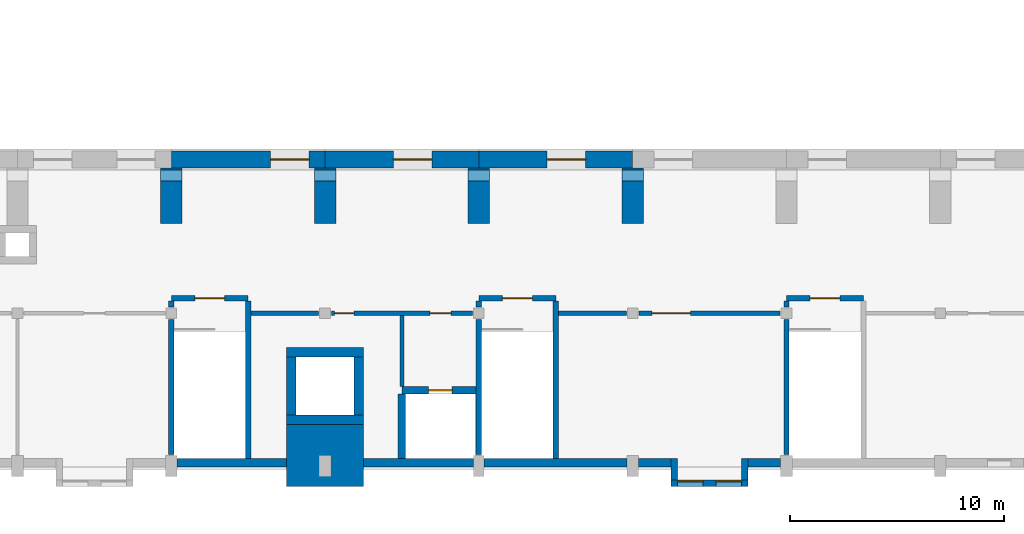
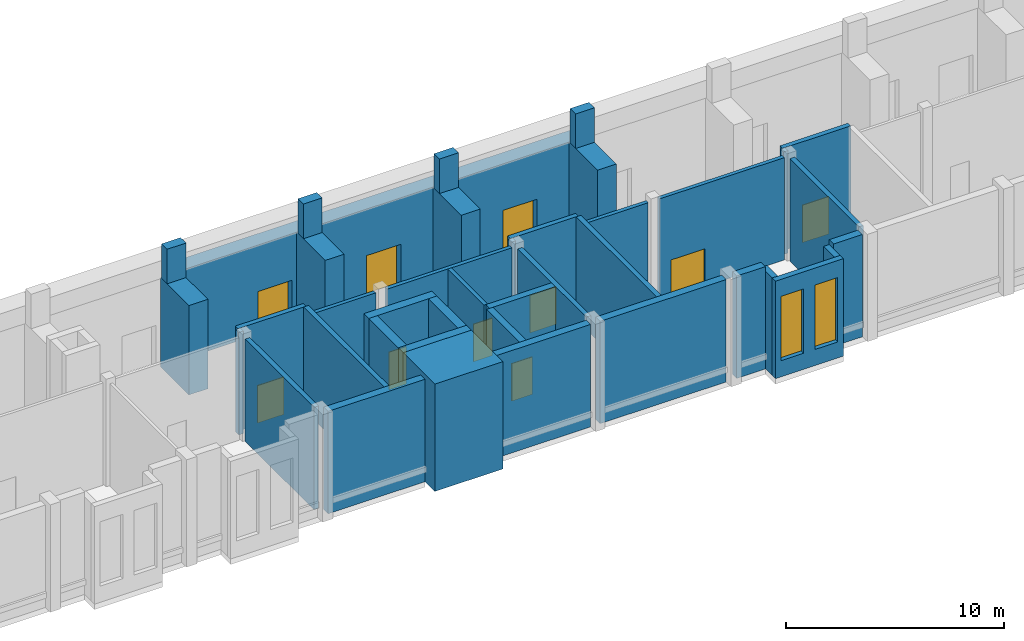
# One storey, part 29 of 44: 42 walls, 10 doors, 2 windows, 12 openings.
"""IFC4 building model written with IfcOpenShell, lengths in metres."""

import ifcopenshell
import ifcopenshell.guid

model = None  # the IFC model being written
_history = None  # IfcOwnerHistory: only IFC2X3 demands one
_inside = {}  # id of a spatial element -> (the spatial element, [elements in it])
_under = {}  # id of a project, library or spatial element -> (it, [spatial elements below it])
_declared = {}  # id of a project -> (the project, [libraries it declares])
_typed = {}  # id of a type object -> (the type object, [elements of that type])
_made_of = {}  # id of a material, layer set ... -> (it, [elements and type objects made of it])


def new_model(schema):
    """Start an empty IFC model of exactly this schema.

    Asked for "IFC4X3", IfcOpenShell would pick the latest addendum, in which some entities
    have other attributes; the version numbers below select the first issue.
    IFC2X3 requires an IfcOwnerHistory on every rooted entity: one is made here for all.
    """
    global model, _history
    if schema == "IFC4X3":
        model = ifcopenshell.file(schema_version=(4, 3, 0, 0))
    else:
        model = ifcopenshell.file(schema=schema)
    _inside.clear()
    _under.clear()
    _declared.clear()
    _typed.clear()
    _made_of.clear()
    _history = None
    if model.schema == "IFC2X3":
        org = make("IfcOrganization", Name="unknown")
        user = make(
            "IfcPersonAndOrganization",
            ThePerson=make("IfcPerson", FamilyName="unknown"),
            TheOrganization=org,
        )
        app = make(
            "IfcApplication",
            ApplicationDeveloper=org,
            Version="unknown",
            ApplicationFullName="unknown",
            ApplicationIdentifier="unknown",
        )
        _history = make(
            "IfcOwnerHistory",
            OwningUser=user,
            OwningApplication=app,
            ChangeAction="ADDED",
            CreationDate=0,
        )
    return model


def make(cls, **values):
    """One entity of the class cls with the attributes given. An attribute that is None is left unset."""
    return model.create_entity(
        cls, **{name: value for name, value in values.items() if value is not None}
    )


def rooted(cls, **values):
    """An entity with a GlobalId (a new one), such as an element, a storey or a relation."""
    return make(cls, GlobalId=ifcopenshell.guid.new(), OwnerHistory=_history, **values)


def si_unit(unit_type, name, prefix=None):
    """IfcSIUnit, for example si_unit("LENGTHUNIT", "METRE", prefix="MILLI")."""
    return make("IfcSIUnit", UnitType=unit_type, Prefix=prefix, Name=name)


def assignment(units):
    """IfcUnitAssignment: the units of a project."""
    return None if units is None else make("IfcUnitAssignment", Units=units)


def point(xyz):
    """IfcCartesianPoint."""
    return None if xyz is None else make("IfcCartesianPoint", Coordinates=xyz)


def direction(xyz):
    """IfcDirection."""
    return None if xyz is None else make("IfcDirection", DirectionRatios=xyz)


def frame(location, z_axis=None, x_axis=None):
    """IfcAxis2Placement3D, a coordinate frame: its origin and axes. An axis left out is left unset."""
    return make(
        "IfcAxis2Placement3D",
        Location=point(location),
        Axis=direction(z_axis),
        RefDirection=direction(x_axis),
    )


def frame_2d(location, x_axis=None):
    """IfcAxis2Placement2D, a coordinate frame in the plane: its origin and x axis."""
    return make(
        "IfcAxis2Placement2D", Location=point(location), RefDirection=direction(x_axis)
    )


def origin():
    """The frame at (0, 0, 0) with its axes left unset."""
    return frame((0.0, 0.0, 0.0))


def place(relative_to, where):
    """IfcLocalPlacement: puts the frame where relative to a parent placement (None: the world)."""
    return make(
        "IfcLocalPlacement", PlacementRelTo=relative_to, RelativePlacement=where
    )


def context(
    kind, dimensions, precision=None, world=None, true_north=None, identifier=None
):
    """IfcGeometricRepresentationContext, for example the 3D "Model" context."""
    return make(
        "IfcGeometricRepresentationContext",
        ContextIdentifier=identifier,
        ContextType=kind,
        CoordinateSpaceDimension=dimensions,
        Precision=precision,
        WorldCoordinateSystem=world,
        TrueNorth=true_north,
    )


def subcontext(parent, identifier, kind, view, scale=None):
    """IfcGeometricRepresentationSubContext, for example "Body" below "Model"."""
    return make(
        "IfcGeometricRepresentationSubContext",
        ContextIdentifier=identifier,
        ContextType=kind,
        ParentContext=parent,
        TargetScale=scale,
        TargetView=view,
    )


def project(units=None, contexts=None):
    """IfcProject with its units and contexts."""
    return rooted(
        "IfcProject",
        Name="project",
        RepresentationContexts=contexts,
        UnitsInContext=assignment(units),
    )


def spatial(cls, under=None, at=None, **own):
    """A site, building, storey or space (cls), placed at a placement, below another one or the project."""
    s = rooted(cls, ObjectPlacement=at, **own)
    if under is not None:
        _under.setdefault(under.id(), (under, []))[1].append(s)
    return s


def profile(cls, at=None, kind="AREA", **sizes):
    """A parametric profile (cls). Its sizes go by their IFC names, for example OverallWidth=200.0."""
    return make(cls, ProfileType=kind, Position=at, **sizes)


def rectangle(**sizes):
    """IfcRectangleProfileDef."""
    return profile("IfcRectangleProfileDef", **sizes)


def extrude(swept, where, along, depth):
    """IfcExtrudedAreaSolid: the profile swept, set in the frame where, extruded along a direction by depth."""
    return make(
        "IfcExtrudedAreaSolid",
        SweptArea=swept,
        Position=where,
        ExtrudedDirection=direction(along),
        Depth=depth,
    )


def shape(context_of_items, identifier, shape_type, items):
    """IfcShapeRepresentation: the items that make up one representation, for example the "Body"."""
    return make(
        "IfcShapeRepresentation",
        ContextOfItems=context_of_items,
        RepresentationIdentifier=identifier,
        RepresentationType=shape_type,
        Items=items,
    )


def material(Name=None, Category=None):
    """IfcMaterial."""
    return make("IfcMaterial", Name=Name, Category=Category)


def layer(
    of_material, thickness, ventilated=None, Name=None, Category=None, Priority=None
):
    """IfcMaterialLayer: one layer of a wall or slab, of a material (None: an air gap)."""
    return make(
        "IfcMaterialLayer",
        Material=of_material,
        LayerThickness=thickness,
        IsVentilated=ventilated,
        Name=Name,
        Category=Category,
        Priority=Priority,
    )


def layer_set(layers, Name=None):
    """IfcMaterialLayerSet."""
    return make("IfcMaterialLayerSet", MaterialLayers=layers, LayerSetName=Name)


def made_of(thing, what):
    """Note that an element or type object is made of a material, layer set ...; save() writes the relation."""
    if what is not None:
        _made_of.setdefault(what.id(), (what, []))[1].append(thing)
    return thing


def type_object(cls, material=None, **own):
    """A type object (cls), such as IfcWallType, which elements share."""
    return made_of(rooted(cls, **own), material)


def element(
    cls,
    number,
    at=None,
    inside=None,
    cuts=None,
    type_object=None,
    material=None,
    context=None,
    identifier="Body",
    shape_type=None,
    held_by="IfcProductDefinitionShape",
    body=None,
    shapes=None,
    **own,
):
    """One element of the class cls, such as IfcWall. Its Tag is "e" and its number.

    at: its placement. inside: the storey or other place that contains it. cuts: it is an
    opening in that element (IfcRelVoidsElement). A single representation is given by context,
    identifier, shape_type and body (its items); several are given by shapes. held_by: the class
    of the entity that holds the representations. save() writes the other relations.
    """
    e = rooted(cls, Tag="e%d" % number, ObjectPlacement=at, **own)
    if body is not None:
        shapes = [shape(context, identifier, shape_type, body)]
    if shapes is not None:
        e.Representation = make(held_by, Representations=shapes)
    if inside is not None:
        _inside.setdefault(inside.id(), (inside, []))[1].append(e)
    if cuts is not None:
        rooted(
            "IfcRelVoidsElement", RelatingBuildingElement=cuts, RelatedOpeningElement=e
        )
    if type_object is not None:
        _typed.setdefault(type_object.id(), (type_object, []))[1].append(e)
    return made_of(e, material)


def fill(opening, filler):
    """IfcRelFillsElement: the door or window that sits in an opening."""
    return rooted(
        "IfcRelFillsElement",
        RelatingOpeningElement=opening,
        RelatedBuildingElement=filler,
    )


def aggregate(whole, parts):
    """IfcRelAggregates: a whole, such as a stair, and the parts it consists of."""
    return rooted("IfcRelAggregates", RelatingObject=whole, RelatedObjects=parts)


def save(model, path):
    """Write the relations noted so far, then the file.

    IfcRelAggregates (storeys below a building ...), IfcRelContainedInSpatialStructure (elements
    in a storey), IfcRelDefinesByType, IfcRelAssociatesMaterial and IfcRelDeclares: one each for
    every whole, place, type object, material and project.
    """
    for whole, parts in _under.values():
        aggregate(whole, parts)
    for where, things in _inside.values():
        rooted(
            "IfcRelContainedInSpatialStructure",
            RelatedElements=things,
            RelatingStructure=where,
        )
    for kind, things in _typed.values():
        rooted("IfcRelDefinesByType", RelatedObjects=things, RelatingType=kind)
    for what, things in _made_of.values():
        rooted("IfcRelAssociatesMaterial", RelatedObjects=things, RelatingMaterial=what)
    for by, libraries in _declared.values():
        rooted("IfcRelDeclares", RelatingContext=by, RelatedDefinitions=libraries)
    model.write(path)


model = new_model("IFC4")

# Units and contexts
model_context = context("Model", 3, precision=1e-05, world=origin(), true_north=direction((0.0, 1.0)))
body_context = subcontext(model_context, "Body", "Model", "MODEL_VIEW")
ifc_project = project(units=[si_unit("LENGTHUNIT", "METRE"), si_unit("AREAUNIT", "SQUARE_METRE"), si_unit("VOLUMEUNIT", "CUBIC_METRE"), si_unit("PLANEANGLEUNIT", "RADIAN"), si_unit("MASSUNIT", "GRAM", prefix="KILO")], contexts=[model_context])

# Site, building, storey
site_placement = place(None, origin())
site = spatial("IfcSite", under=ifc_project, at=site_placement, CompositionType="ELEMENT")
building_placement = place(site_placement, origin())
building = spatial("IfcBuilding", under=site, at=building_placement, Name="Vermilion Court Aquatics Centre", CompositionType="ELEMENT")
storey_placement = place(building_placement, frame((0.0, 0.0, 6.0)))
storey = spatial("IfcBuildingStorey", under=building, at=storey_placement, Name="L01", CompositionType="ELEMENT", Elevation=6.0)

# Walls
ifc_material_1 = material(Name="Concrete 5000 psi", Category="concrete")
ifc_layer_1 = layer(ifc_material_1, 1.0)
ifc_layer_set_1 = layer_set([ifc_layer_1], Name="Roof buttress pier")
wall_type_1 = type_object("IfcWallType", Name="Roof buttress pier", PredefinedType="SOLIDWALL", material=ifc_layer_set_1)
for number, where, z_axis, x_axis, name in (
    (1, (64.800048828125, 11.39990234375, 0.0), (0.0, 0.0, 1.0), (0.0, 1.0, 0.0), "Buttress pier BPS08"),
    (2, (72.0, 11.39990234375, 0.0), (0.0, 0.0, 1.0), (0.0, 1.0, 0.0), "Buttress pier BPS09"),
    (3, (79.199951171875, 11.39990234375, 0.0), (0.0, 0.0, 1.0), (0.0, 1.0, 0.0), "Buttress pier BPS10"),
    (4, (86.39990234375, 11.39990234375, 0.0), (0.0, 0.0, 1.0), (0.0, 1.0, 0.0), "Buttress pier BPS11"),
):
    element("IfcWall", number, at=place(storey_placement, frame(where, z_axis=z_axis, x_axis=x_axis)), inside=storey, type_object=wall_type_1, Name=name, PredefinedType="SOLIDWALL", context=body_context, shape_type="SweptSolid", body=[
        extrude(rectangle(XDim=2.60009765625, YDim=1.0, at=frame_2d((1.300048828125, 0.0))), origin(), (0.0, 0.0, 1.0), 5.0),
    ])

# Wall, openings, windows
ifc_material_2 = material(Name="Brick masonry", Category="masonry")
ifc_layer_2 = layer(ifc_material_2, 0.300048828125)
ifc_layer_set_2 = layer_set([ifc_layer_2], Name="South bay wall 300")
wall_type_2 = type_object("IfcWallType", Name="South bay wall 300", PredefinedType="SOLIDWALL", material=ifc_layer_set_2)
wall_1_placement = place(storey_placement, frame((88.199951171875, -0.75, 0.0), z_axis=(0.0, 0.0, 1.0), x_axis=(1.0, 0.0, 0.0)))
wall_1 = element("IfcWall", 5, at=wall_1_placement, inside=storey, type_object=wall_type_2, Name="South oriel front wall", PredefinedType="SOLIDWALL", context=body_context, shape_type="SweptSolid", body=[
    extrude(rectangle(XDim=3.60009765625, YDim=0.300048828125, at=frame_2d((1.800048828125, 0.0))), origin(), (0.0, 0.0, 1.0), 5.449951171875),
])
opening_1_placement = place(wall_1_placement, frame((0.300048828125, 0.0, 0.89990234375)))
opening_1 = element("IfcOpeningElement", 6, at=opening_1_placement, cuts=wall_1, Name="Opening SWN6", PredefinedType="OPENING", context=body_context, shape_type="SweptSolid", body=[
    extrude(rectangle(XDim=1.199951171875, YDim=3.60009765625, at=frame_2d((0.60009765625, 1.800048828125))), frame((0.0, 0.159912109375, 0.0), z_axis=(0.0, -1.0, 0.0), x_axis=(1.0, 0.0, 0.0)), (0.0, 0.0, 1.0), 0.320068359375),
])
opening_2_placement = place(wall_1_placement, frame((2.10009765625, 0.0, 0.89990234375)))
opening_2 = element("IfcOpeningElement", 7, at=opening_2_placement, cuts=wall_1, Name="Opening SWN6", PredefinedType="OPENING", context=body_context, shape_type="SweptSolid", body=[
    extrude(rectangle(XDim=1.199951171875, YDim=3.60009765625, at=frame_2d((0.60009765625, 1.800048828125))), frame((0.0, 0.159912109375, 0.0), z_axis=(0.0, -1.0, 0.0), x_axis=(1.0, 0.0, 0.0)), (0.0, 0.0, 1.0), 0.320068359375),
])
ifc_material_3 = material(Name="Aluminium 6063-T5", Category="aluminium")
window_type = type_object("IfcWindowType", Name="South tall window 1200x3600", PartitioningType="DOUBLE_PANEL_VERTICAL", PredefinedType="WINDOW", material=ifc_material_3)
window_1_placement = place(opening_1_placement, origin())
window_1 = element("IfcWindow", 8, at=window_1_placement, inside=storey, type_object=window_type, Name="Oriel tall window", OverallHeight=3.60009765625, OverallWidth=1.199951171875, PartitioningType="DOUBLE_PANEL_VERTICAL", PredefinedType="WINDOW", context=body_context, shape_type="SweptSolid", body=[
    extrude(rectangle(XDim=1.199951171875, YDim=3.60009765625, at=frame_2d((0.60009765625, 1.800048828125))), frame((0.0, 0.130126953125, 0.0), z_axis=(0.0, -1.0, 0.0), x_axis=(1.0, 0.0, 0.0)), (0.0, 0.0, 1.0), 0.06005859375),
])
fill(opening_1, window_1)
window_2_placement = place(opening_2_placement, origin())
window_2 = element("IfcWindow", 9, at=window_2_placement, inside=storey, type_object=window_type, Name="Oriel tall window", OverallHeight=3.60009765625, OverallWidth=1.199951171875, PartitioningType="DOUBLE_PANEL_VERTICAL", PredefinedType="WINDOW", context=body_context, shape_type="SweptSolid", body=[
    extrude(rectangle(XDim=1.199951171875, YDim=3.60009765625, at=frame_2d((0.60009765625, 1.800048828125))), frame((0.0, 0.130126953125, 0.0), z_axis=(0.0, -1.0, 0.0), x_axis=(1.0, 0.0, 0.0)), (0.0, 0.0, 1.0), 0.06005859375),
])
fill(opening_2, window_2)

# Walls
for number, where, z_axis, x_axis, name in (
    (10, (88.35009765625, -0.60009765625, 0.0), (0.0, 0.0, 1.0), (0.0, 1.0, 0.0), "South oriel jamb pier"),
    (11, (91.64990234375, -0.60009765625, 0.0), (0.0, 0.0, 1.0), (0.0, 1.0, 0.0), "South oriel jamb pier"),
):
    element("IfcWall", number, at=place(storey_placement, frame(where, z_axis=z_axis, x_axis=x_axis)), inside=storey, type_object=wall_type_2, Name=name, PredefinedType="SOLIDWALL", context=body_context, shape_type="SweptSolid", body=[
        extrude(rectangle(XDim=1.0, YDim=0.300048828125, at=frame_2d((0.5, 0.0))), origin(), (0.0, 0.0, 1.0), 5.449951171875),
    ])
ifc_material_4 = material(Name="Brick masonry", Category="masonry")
ifc_layer_3 = layer(ifc_material_4, 0.39990234375)
ifc_layer_set_3 = layer_set([ifc_layer_3], Name="South brick facade wall 400")
wall_type_3 = type_object("IfcWallType", Name="South brick facade wall 400", PredefinedType="SOLIDWALL", material=ifc_layer_set_3)
wall_2_placement = place(storey_placement, frame((65.074951171875, 0.199951171875, 0.0), z_axis=(0.0, 0.0, 1.0), x_axis=(1.0, 0.0, 0.0)))
element("IfcWall", 12, at=wall_2_placement, inside=storey, type_object=wall_type_3, Name="Brick facade wall", PredefinedType="SOLIDWALL", context=body_context, shape_type="SweptSolid", body=[
    extrude(rectangle(XDim=5.125, YDim=0.39990234375, at=frame_2d((2.5625, 0.0))), origin(), (0.0, 0.0, 1.0), 5.72509765625),
])
wall_3_placement = place(storey_placement, frame((73.800048828125, 0.199951171875, 0.0), z_axis=(0.0, 0.0, 1.0), x_axis=(1.0, 0.0, 0.0)))
element("IfcWall", 13, at=wall_3_placement, inside=storey, type_object=wall_type_3, Name="Brick facade wall", PredefinedType="SOLIDWALL", context=body_context, shape_type="SweptSolid", body=[
    extrude(rectangle(XDim=5.14990234375, YDim=0.39990234375, at=frame_2d((2.574951171875, 0.0))), origin(), (0.0, 0.0, 1.0), 5.72509765625),
])
wall_4_placement = place(storey_placement, frame((79.449951171875, 0.199951171875, 0.0), z_axis=(0.0, 0.0, 1.0), x_axis=(1.0, 0.0, 0.0)))
element("IfcWall", 14, at=wall_4_placement, inside=storey, type_object=wall_type_3, Name="Brick facade wall", PredefinedType="SOLIDWALL", context=body_context, shape_type="SweptSolid", body=[
    extrude(rectangle(XDim=6.675048828125, YDim=0.39990234375, at=frame_2d((3.33740234375, 0.0))), origin(), (0.0, 0.0, 1.0), 5.72509765625),
])
for number, where, z_axis, x_axis, name in (
    (15, (86.675048828125, 0.199951171875, 0.0), (0.0, 0.0, 1.0), (1.0, 0.0, 0.0), "Brick facade wall"),
    (16, (91.800048828125, 0.199951171875, 0.0), (0.0, 0.0, 1.0), (1.0, 0.0, 0.0), "Brick facade wall"),
):
    element("IfcWall", number, at=place(storey_placement, frame(where, z_axis=z_axis, x_axis=x_axis)), inside=storey, type_object=wall_type_3, Name=name, PredefinedType="SOLIDWALL", context=body_context, shape_type="SweptSolid", body=[
        extrude(rectangle(XDim=1.52490234375, YDim=0.39990234375, at=frame_2d((0.762451171875, 0.0))), origin(), (0.0, 0.0, 1.0), 5.72509765625),
    ])
ifc_material_5 = material(Name="Brick masonry", Category="masonry")
ifc_layer_4 = layer(ifc_material_5, 2.89990234375)
ifc_layer_set_4 = layer_set([ifc_layer_4], Name="South chimney breast wall 2900")
wall_type_4 = type_object("IfcWallType", Name="South chimney breast wall 2900", PredefinedType="SOLIDWALL", material=ifc_layer_set_4)
wall_5_placement = place(storey_placement, frame((70.199951171875, 0.550048828125, 0.0), z_axis=(0.0, 0.0, 1.0), x_axis=(1.0, 0.0, 0.0)))
element("IfcWall", 17, at=wall_5_placement, inside=storey, type_object=wall_type_4, Name="Chimney breast", PredefinedType="SOLIDWALL", context=body_context, shape_type="SweptSolid", body=[
    extrude(rectangle(XDim=3.60009765625, YDim=2.89990234375, at=frame_2d((1.800048828125, 0.0))), origin(), (0.0, 0.0, 1.0), 6.0),
])
ifc_material_6 = material(Name="Concrete masonry ASTM C90 Type I", Category="masonry")
ifc_layer_5 = layer(ifc_material_6, 0.199951171875)
ifc_layer_set_5 = layer_set([ifc_layer_5], Name="South fire-rated partition 200")
wall_type_5 = type_object("IfcWallType", Name="South fire-rated partition 200", PredefinedType="PARTITIONING", material=ifc_layer_set_5)
wall_6_placement = place(storey_placement, frame((75.60009765625, 3.77490234375, 0.0), z_axis=(0.0, 0.0, 1.0), x_axis=(0.0, 1.0, 0.0)))
element("IfcWall", 18, at=wall_6_placement, inside=storey, type_object=wall_type_5, Name="Wall", PredefinedType="PARTITIONING", context=body_context, shape_type="SweptSolid", body=[
    extrude(rectangle(XDim=3.3251953125, YDim=0.199951171875, at=frame_2d((1.66259765625, 0.0))), origin(), (0.0, 0.0, 1.0), 5.72509765625),
])
wall_7_placement = place(storey_placement, frame((68.52490234375, 7.199951171875, 0.0), z_axis=(0.0, 0.0, 1.0), x_axis=(1.0, 0.0, 0.0)))
element("IfcWall", 19, at=wall_7_placement, inside=storey, type_object=wall_type_5, Name="Wall", PredefinedType="PARTITIONING", context=body_context, shape_type="SweptSolid", body=[
    extrude(rectangle(XDim=3.175048828125, YDim=0.199951171875, at=frame_2d((1.58740234375, 0.0))), origin(), (0.0, 0.0, 1.0), 5.72509765625),
])

# Wall, openings, doors
wall_8_placement = place(storey_placement, frame((72.300048828125, 7.199951171875, 0.0), z_axis=(0.0, 0.0, 1.0), x_axis=(1.0, 0.0, 0.0)))
wall_8 = element("IfcWall", 20, at=wall_8_placement, inside=storey, type_object=wall_type_5, Name="Wall", PredefinedType="PARTITIONING", context=body_context, shape_type="SweptSolid", body=[
    extrude(rectangle(XDim=6.599853515625, YDim=0.199951171875, at=frame_2d((3.2998046875, 0.0))), origin(), (0.0, 0.0, 1.0), 5.72509765625),
])
opening_3_placement = place(wall_8_placement, frame((0.14990234375, 0.0, 0.0)))
opening_3 = element("IfcOpeningElement", 21, at=opening_3_placement, cuts=wall_8, Name="Opening S01-012", PredefinedType="OPENING", context=body_context, shape_type="SweptSolid", body=[
    extrude(rectangle(XDim=0.89990234375, YDim=2.10009765625, at=frame_2d((0.449951171875, 1.050048828125))), frame((0.0, 0.10986328125, 0.0), z_axis=(0.0, -1.0, 0.0), x_axis=(1.0, 0.0, 0.0)), (0.0, 0.0, 1.0), 0.219970703125),
])
opening_4_placement = place(wall_8_placement, frame((4.60009765625, 0.0, 0.0)))
opening_4 = element("IfcOpeningElement", 22, at=opening_4_placement, cuts=wall_8, Name="Opening S01-017", PredefinedType="OPENING", context=body_context, shape_type="SweptSolid", body=[
    extrude(rectangle(XDim=1.0, YDim=2.10009765625, at=frame_2d((0.5, 1.050048828125))), frame((0.0, 0.10986328125, 0.0), z_axis=(0.0, -1.0, 0.0), x_axis=(1.0, 0.0, 0.0)), (0.0, 0.0, 1.0), 0.219970703125),
])
ifc_material_7 = material(Name="Hollow metal", Category="metal")
door_type_1 = type_object("IfcDoorType", Name="South lobby door 1000", OperationType="SINGLE_SWING_RIGHT", PredefinedType="DOOR", material=ifc_material_7)
door_1_placement = place(opening_4_placement, origin())
door_1 = element("IfcDoor", 23, at=door_1_placement, inside=storey, type_object=door_type_1, Name="Spectator lift lobby door", OperationType="SINGLE_SWING_RIGHT", OverallHeight=2.10009765625, OverallWidth=1.0, PredefinedType="DOOR", context=body_context, shape_type="SweptSolid", body=[
    extrude(rectangle(XDim=1.0, YDim=2.10009765625, at=frame_2d((0.5, 1.050048828125))), frame((0.0, 0.02490234375, 0.0), z_axis=(0.0, -1.0, 0.0), x_axis=(1.0, 0.0, 0.0)), (0.0, 0.0, 1.0), 0.050048828125),
])
fill(opening_4, door_1)
ifc_material_8 = material(Name="Hollow metal", Category="metal")
door_type_2 = type_object("IfcDoorType", Name="South plant door 900", OperationType="SINGLE_SWING_RIGHT", PredefinedType="DOOR", material=ifc_material_8)
door_2_placement = place(opening_3_placement, frame((0.89990234375, 0.0, 0.0), z_axis=(0.0, 0.0, 1.0), x_axis=(-1.0, 0.0, 0.0)))
door_2 = element("IfcDoor", 24, at=door_2_placement, inside=storey, type_object=door_type_2, Name="Plant Room door", OperationType="SINGLE_SWING_RIGHT", OverallHeight=2.10009765625, OverallWidth=0.89990234375, PredefinedType="DOOR", context=body_context, shape_type="SweptSolid", body=[
    extrude(rectangle(XDim=0.89990234375, YDim=2.10009765625, at=frame_2d((0.449951171875, 1.050048828125))), frame((0.0, 0.025146484375, 0.0), z_axis=(0.0, -1.0, 0.0), x_axis=(1.0, 0.0, 0.0)), (0.0, 0.0, 1.0), 0.050048828125),
])
fill(opening_3, door_2)

# Wall
ifc_material_9 = material(Name="Concrete masonry ASTM C90 Type I", Category="masonry")
ifc_layer_6 = layer(ifc_material_9, 0.199951171875)
ifc_layer_set_6 = layer_set([ifc_layer_6], Name="South partition wall 200")
wall_type_6 = type_object("IfcWallType", Name="South partition wall 200", PredefinedType="PARTITIONING", material=ifc_layer_set_6)
wall_9_placement = place(storey_placement, frame((82.925048828125, 7.199951171875, 0.0), z_axis=(0.0, 0.0, 1.0), x_axis=(1.0, 0.0, 0.0)))
element("IfcWall", 25, at=wall_9_placement, inside=storey, type_object=wall_type_6, Name="Partition wall", PredefinedType="PARTITIONING", context=body_context, shape_type="SweptSolid", body=[
    extrude(rectangle(XDim=3.175048828125, YDim=0.199951171875, at=frame_2d((1.58740234375, 0.0))), origin(), (0.0, 0.0, 1.0), 5.72509765625),
])

# Wall, opening, door
wall_10_placement = place(storey_placement, frame((86.699951171875, 7.199951171875, 0.0), z_axis=(0.0, 0.0, 1.0), x_axis=(1.0, 0.0, 0.0)))
wall_10 = element("IfcWall", 26, at=wall_10_placement, inside=storey, type_object=wall_type_6, Name="Partition wall", PredefinedType="PARTITIONING", context=body_context, shape_type="SweptSolid", body=[
    extrude(rectangle(XDim=6.60009765625, YDim=0.199951171875, at=frame_2d((3.300048828125, 0.0))), origin(), (0.0, 0.0, 1.0), 5.72509765625),
])
opening_5_placement = place(wall_10_placement, frame((0.60009765625, 0.0, 0.0)))
opening_5 = element("IfcOpeningElement", 27, at=opening_5_placement, cuts=wall_10, Name="Opening S01-013", PredefinedType="OPENING", context=body_context, shape_type="SweptSolid", body=[
    extrude(rectangle(XDim=1.800048828125, YDim=2.10009765625, at=frame_2d((0.89990234375, 1.050048828125))), frame((0.0, 0.10986328125, 0.0), z_axis=(0.0, -1.0, 0.0), x_axis=(1.0, 0.0, 0.0)), (0.0, 0.0, 1.0), 0.219970703125),
])
ifc_material_10 = material(Name="Hollow metal", Category="metal")
door_type_3 = type_object("IfcDoorType", Name="South range double door 1800", OperationType="DOUBLE_DOOR_SINGLE_SWING", PredefinedType="DOOR", material=ifc_material_10)
door_3_placement = place(opening_5_placement, origin())
door_3 = element("IfcDoor", 28, at=door_3_placement, inside=storey, type_object=door_type_3, Name="Cafe Seating door", OperationType="DOUBLE_DOOR_SINGLE_SWING", OverallHeight=2.10009765625, OverallWidth=1.800048828125, PredefinedType="DOOR", context=body_context, shape_type="SweptSolid", body=[
    extrude(rectangle(XDim=1.800048828125, YDim=2.10009765625, at=frame_2d((0.89990234375, 1.050048828125))), frame((0.0, 0.02490234375, 0.0), z_axis=(0.0, -1.0, 0.0), x_axis=(1.0, 0.0, 0.0)), (0.0, 0.0, 1.0), 0.050048828125),
])
fill(opening_5, door_3)

# Walls
ifc_material_11 = material(Name="Brick masonry", Category="masonry")
ifc_layer_7 = layer(ifc_material_11, 0.449951171875)
ifc_layer_set_7 = layer_set([ifc_layer_7], Name="South plant stack wall 450")
wall_type_7 = type_object("IfcWallType", Name="South plant stack wall 450", PredefinedType="SOLIDWALL", material=ifc_layer_set_7)
for number, where, z_axis, x_axis, name in (
    (29, (70.199951171875, 5.375, 0.0), (0.0, 0.0, 1.0), (1.0, 0.0, 0.0), "Stack shaft wall"),
    (30, (70.199951171875, 2.22509765625, 0.0), (0.0, 0.0, 1.0), (1.0, 0.0, 0.0), "Stack shaft wall"),
):
    element("IfcWall", number, at=place(storey_placement, frame(where, z_axis=z_axis, x_axis=x_axis)), inside=storey, type_object=wall_type_7, Name=name, PredefinedType="SOLIDWALL", context=body_context, shape_type="SweptSolid", body=[
        extrude(rectangle(XDim=3.60009765625, YDim=0.449951171875, at=frame_2d((1.800048828125, 0.0))), origin(), (0.0, 0.0, 1.0), 6.0),
    ])
for number, where, z_axis, x_axis, name in (
    (31, (73.574951171875, 2.449951171875, 0.0), (0.0, 0.0, 1.0), (0.0, 1.0, 0.0), "Stack shaft wall"),
    (32, (70.425048828125, 2.449951171875, 0.0), (0.0, 0.0, 1.0), (0.0, 1.0, 0.0), "Stack shaft wall"),
):
    element("IfcWall", number, at=place(storey_placement, frame(where, z_axis=z_axis, x_axis=x_axis)), inside=storey, type_object=wall_type_7, Name=name, PredefinedType="SOLIDWALL", context=body_context, shape_type="SweptSolid", body=[
        extrude(rectangle(XDim=2.699951171875, YDim=0.449951171875, at=frame_2d((1.35009765625, 0.0))), origin(), (0.0, 0.0, 1.0), 6.0),
    ])
ifc_material_12 = material(Name="Concrete 5000 psi", Category="concrete")
ifc_layer_8 = layer(ifc_material_12, 0.5)
ifc_layer_set_8 = layer_set([ifc_layer_8], Name="South roof valley post 500")
wall_type_8 = type_object("IfcWallType", Name="South roof valley post 500", PredefinedType="SOLIDWALL", material=ifc_layer_set_8)
for number, where, z_axis, x_axis, name in (
    (33, (64.300048828125, 13.64990234375, 5.0), (0.0, 0.0, 1.0), (1.0, 0.0, 0.0), "South roof valley post"),
    (34, (71.5, 13.64990234375, 5.0), (0.0, 0.0, 1.0), (1.0, 0.0, 0.0), "South roof valley post"),
    (35, (78.699951171875, 13.64990234375, 5.0), (0.0, 0.0, 1.0), (1.0, 0.0, 0.0), "South roof valley post"),
    (36, (85.89990234375, 13.64990234375, 5.0), (0.0, 0.0, 1.0), (1.0, 0.0, 0.0), "South roof valley post"),
):
    element("IfcWall", number, at=place(storey_placement, frame(where, z_axis=z_axis, x_axis=x_axis)), inside=storey, type_object=wall_type_8, Name=name, PredefinedType="SOLIDWALL", context=body_context, shape_type="SweptSolid", body=[
        extrude(rectangle(XDim=1.0, YDim=0.5, at=frame_2d((0.5, 0.0))), origin(), (0.0, 0.0, 1.0), 1.932373046875),
    ])
ifc_material_13 = material(Name="Concrete 5000 psi", Category="concrete")
ifc_layer_9 = layer(ifc_material_13, 0.35009765625)
ifc_layer_set_9 = layer_set([ifc_layer_9], Name="South upper lift shaft wall 350")
wall_type_9 = type_object("IfcWallType", Name="South upper lift shaft wall 350", PredefinedType="SOLIDWALL", material=ifc_layer_set_9)
wall_11_placement = place(storey_placement, frame((75.60009765625, 0.39990234375, 0.0), z_axis=(0.0, 0.0, 1.0), x_axis=(0.0, 1.0, 0.0)))
element("IfcWall", 37, at=wall_11_placement, inside=storey, type_object=wall_type_9, Name="Lift shaft wall", PredefinedType="SOLIDWALL", context=body_context, shape_type="SweptSolid", body=[
    extrude(rectangle(XDim=3.025146484375, YDim=0.35009765625, at=frame_2d((1.5126953125, 0.0))), origin(), (0.0, 0.0, 1.0), 5.72509765625),
])

# Wall, opening, door
wall_12_placement = place(storey_placement, frame((75.60009765625, 3.60009765625, 0.0), z_axis=(0.0, 0.0, 1.0), x_axis=(1.0, 0.0, 0.0)))
wall_12 = element("IfcWall", 38, at=wall_12_placement, inside=storey, type_object=wall_type_9, Name="Lift shaft wall", PredefinedType="SOLIDWALL", context=body_context, shape_type="SweptSolid", body=[
    extrude(rectangle(XDim=3.474853515625, YDim=0.35009765625, at=frame_2d((1.7373046875, 0.0))), origin(), (0.0, 0.0, 1.0), 5.72509765625),
])
opening_6_placement = place(wall_12_placement, frame((1.25, 0.0, 0.0)))
opening_6 = element("IfcOpeningElement", 39, at=opening_6_placement, cuts=wall_12, Name="Opening LD1-S1", PredefinedType="OPENING", context=body_context, shape_type="SweptSolid", body=[
    extrude(rectangle(XDim=1.10009765625, YDim=2.10009765625, at=frame_2d((0.550048828125, 1.050048828125))), frame((0.0, 0.18505859375, 0.0), z_axis=(0.0, -1.0, 0.0), x_axis=(1.0, 0.0, 0.0)), (0.0, 0.0, 1.0), 0.3701171875),
])
ifc_material_14 = material(Name="Hollow metal", Category="metal")
door_type_4 = type_object("IfcDoorType", Name="South lift landing door 1100", OperationType="DOUBLE_DOOR_SLIDING", PredefinedType="DOOR", material=ifc_material_14)
door_4_placement = place(opening_6_placement, origin())
door_4 = element("IfcDoor", 40, at=door_4_placement, inside=storey, type_object=door_type_4, Name="Lift landing door", OperationType="DOUBLE_DOOR_SLIDING", OverallHeight=2.10009765625, OverallWidth=1.10009765625, PredefinedType="DOOR", context=body_context, shape_type="SweptSolid", body=[
    extrude(rectangle(XDim=1.10009765625, YDim=2.10009765625, at=frame_2d((0.550048828125, 1.050048828125))), frame((0.0, 0.02490234375, 0.0), z_axis=(0.0, -1.0, 0.0), x_axis=(1.0, 0.0, 0.0)), (0.0, 0.0, 1.0), 0.050048828125),
])
fill(opening_6, door_4)

# Walls
ifc_material_15 = material(Name="Concrete 5000 psi", Category="concrete")
ifc_layer_10 = layer(ifc_material_15, 0.25)
ifc_layer_set_10 = layer_set([ifc_layer_10], Name="South upper stair wall 250")
wall_type_10 = type_object("IfcWallType", Name="South upper stair wall 250", PredefinedType="SOLIDWALL", material=ifc_layer_set_10)
wall_13_placement = place(storey_placement, frame((64.800048828125, 0.60009765625, 0.0), z_axis=(0.0, 0.0, 1.0), x_axis=(0.0, 1.0, 0.0)))
element("IfcWall", 41, at=wall_13_placement, inside=storey, type_object=wall_type_10, Name="Stair enclosure wall", PredefinedType="SOLIDWALL", context=body_context, shape_type="SweptSolid", body=[
    extrude(rectangle(XDim=6.2998046875, YDim=0.25, at=frame_2d((3.14990234375, 0.0))), origin(), (0.0, 0.0, 1.0), 5.72509765625),
])
wall_14_placement = place(storey_placement, frame((64.800048828125, 7.5, 0.0), z_axis=(0.0, 0.0, 1.0), x_axis=(0.0, 1.0, 0.0)))
element("IfcWall", 42, at=wall_14_placement, inside=storey, type_object=wall_type_10, Name="Stair enclosure wall", PredefinedType="SOLIDWALL", context=body_context, shape_type="SweptSolid", body=[
    extrude(rectangle(XDim=0.27490234375, YDim=0.25, at=frame_2d((0.137451171875, 0.0))), origin(), (0.0, 0.0, 1.0), 5.72509765625),
])
wall_15_placement = place(storey_placement, frame((68.39990234375, 0.39990234375, 0.0), z_axis=(0.0, 0.0, 1.0), x_axis=(0.0, 1.0, 0.0)))
element("IfcWall", 43, at=wall_15_placement, inside=storey, type_object=wall_type_10, Name="Stair enclosure wall", PredefinedType="SOLIDWALL", context=body_context, shape_type="SweptSolid", body=[
    extrude(rectangle(XDim=7.375, YDim=0.25, at=frame_2d((3.6875, 0.0))), origin(), (0.0, 0.0, 1.0), 5.72509765625),
])
wall_16_placement = place(storey_placement, frame((79.199951171875, 0.60009765625, 0.0), z_axis=(0.0, 0.0, 1.0), x_axis=(0.0, 1.0, 0.0)))
element("IfcWall", 44, at=wall_16_placement, inside=storey, type_object=wall_type_10, Name="Stair enclosure wall", PredefinedType="SOLIDWALL", context=body_context, shape_type="SweptSolid", body=[
    extrude(rectangle(XDim=6.2998046875, YDim=0.25, at=frame_2d((3.14990234375, 0.0))), origin(), (0.0, 0.0, 1.0), 5.72509765625),
])
wall_17_placement = place(storey_placement, frame((79.199951171875, 7.5, 0.0), z_axis=(0.0, 0.0, 1.0), x_axis=(0.0, 1.0, 0.0)))
element("IfcWall", 45, at=wall_17_placement, inside=storey, type_object=wall_type_10, Name="Stair enclosure wall", PredefinedType="SOLIDWALL", context=body_context, shape_type="SweptSolid", body=[
    extrude(rectangle(XDim=0.27490234375, YDim=0.25, at=frame_2d((0.137451171875, 0.0))), origin(), (0.0, 0.0, 1.0), 5.72509765625),
])
wall_18_placement = place(storey_placement, frame((82.800048828125, 0.39990234375, 0.0), z_axis=(0.0, 0.0, 1.0), x_axis=(0.0, 1.0, 0.0)))
element("IfcWall", 46, at=wall_18_placement, inside=storey, type_object=wall_type_10, Name="Stair enclosure wall", PredefinedType="SOLIDWALL", context=body_context, shape_type="SweptSolid", body=[
    extrude(rectangle(XDim=7.375, YDim=0.25, at=frame_2d((3.6875, 0.0))), origin(), (0.0, 0.0, 1.0), 5.72509765625),
])
wall_19_placement = place(storey_placement, frame((93.60009765625, 0.60009765625, 0.0), z_axis=(0.0, 0.0, 1.0), x_axis=(0.0, 1.0, 0.0)))
element("IfcWall", 47, at=wall_19_placement, inside=storey, type_object=wall_type_10, Name="Stair enclosure wall", PredefinedType="SOLIDWALL", context=body_context, shape_type="SweptSolid", body=[
    extrude(rectangle(XDim=6.2998046875, YDim=0.25, at=frame_2d((3.14990234375, 0.0))), origin(), (0.0, 0.0, 1.0), 5.72509765625),
])
wall_20_placement = place(storey_placement, frame((93.60009765625, 7.5, 0.0), z_axis=(0.0, 0.0, 1.0), x_axis=(0.0, 1.0, 0.0)))
element("IfcWall", 48, at=wall_20_placement, inside=storey, type_object=wall_type_10, Name="Stair enclosure wall", PredefinedType="SOLIDWALL", context=body_context, shape_type="SweptSolid", body=[
    extrude(rectangle(XDim=0.27490234375, YDim=0.25, at=frame_2d((0.137451171875, 0.0))), origin(), (0.0, 0.0, 1.0), 5.72509765625),
])

# Wall, opening, door
wall_21_placement = place(storey_placement, frame((64.800048828125, 7.89990234375, 0.0), z_axis=(0.0, 0.0, 1.0), x_axis=(1.0, 0.0, 0.0)))
wall_21 = element("IfcWall", 49, at=wall_21_placement, inside=storey, type_object=wall_type_10, Name="Stair enclosure wall", PredefinedType="SOLIDWALL", context=body_context, shape_type="SweptSolid", body=[
    extrude(rectangle(XDim=3.599853515625, YDim=0.25, at=frame_2d((1.7998046875, 0.0))), origin(), (0.0, 0.0, 1.0), 5.72509765625),
])
opening_7_placement = place(wall_21_placement, frame((1.10009765625, 0.0, 0.0)))
opening_7 = element("IfcOpeningElement", 50, at=opening_7_placement, cuts=wall_21, Name="Opening S01-003", PredefinedType="OPENING", context=body_context, shape_type="SweptSolid", body=[
    extrude(rectangle(XDim=1.39990234375, YDim=2.10009765625, at=frame_2d((0.699951171875, 1.050048828125))), frame((0.0, 0.135009765625, 0.0), z_axis=(0.0, -1.0, 0.0), x_axis=(1.0, 0.0, 0.0)), (0.0, 0.0, 1.0), 0.27001953125),
])
ifc_material_16 = material(Name="Hollow metal", Category="metal")
door_type_5 = type_object("IfcDoorType", Name="South stair door 1400", OperationType="DOUBLE_DOOR_SINGLE_SWING", PredefinedType="DOOR", material=ifc_material_16)
door_5_placement = place(opening_7_placement, frame((1.39990234375, 0.0, 0.0), z_axis=(0.0, 0.0, 1.0), x_axis=(-1.0, 0.0, 0.0)))
door_5 = element("IfcDoor", 51, at=door_5_placement, inside=storey, type_object=door_type_5, Name="Exit stair S3 door", OperationType="DOUBLE_DOOR_SINGLE_SWING", OverallHeight=2.10009765625, OverallWidth=1.39990234375, PredefinedType="DOOR", context=body_context, shape_type="SweptSolid", body=[
    extrude(rectangle(XDim=1.39990234375, YDim=2.10009765625, at=frame_2d((0.699951171875, 1.050048828125))), frame((0.0, 0.025146484375, 0.0), z_axis=(0.0, -1.0, 0.0), x_axis=(1.0, 0.0, 0.0)), (0.0, 0.0, 1.0), 0.050048828125),
])
fill(opening_7, door_5)

wall_22_placement = place(storey_placement, frame((79.199951171875, 7.89990234375, 0.0), z_axis=(0.0, 0.0, 1.0), x_axis=(1.0, 0.0, 0.0)))
wall_22 = element("IfcWall", 52, at=wall_22_placement, inside=storey, type_object=wall_type_10, Name="Stair enclosure wall", PredefinedType="SOLIDWALL", context=body_context, shape_type="SweptSolid", body=[
    extrude(rectangle(XDim=3.60009765625, YDim=0.25, at=frame_2d((1.800048828125, 0.0))), origin(), (0.0, 0.0, 1.0), 5.72509765625),
])
opening_8_placement = place(wall_22_placement, frame((1.10009765625, 0.0, 0.0)))
opening_8 = element("IfcOpeningElement", 53, at=opening_8_placement, cuts=wall_22, Name="Opening S01-004", PredefinedType="OPENING", context=body_context, shape_type="SweptSolid", body=[
    extrude(rectangle(XDim=1.39990234375, YDim=2.10009765625, at=frame_2d((0.699951171875, 1.050048828125))), frame((0.0, 0.135009765625, 0.0), z_axis=(0.0, -1.0, 0.0), x_axis=(1.0, 0.0, 0.0)), (0.0, 0.0, 1.0), 0.27001953125),
])
door_6_placement = place(opening_8_placement, frame((1.39990234375, 0.0, 0.0), z_axis=(0.0, 0.0, 1.0), x_axis=(-1.0, 0.0, 0.0)))
door_6 = element("IfcDoor", 54, at=door_6_placement, inside=storey, type_object=door_type_5, Name="Exit stair S4 door", OperationType="DOUBLE_DOOR_SINGLE_SWING", OverallHeight=2.10009765625, OverallWidth=1.39990234375, PredefinedType="DOOR", context=body_context, shape_type="SweptSolid", body=[
    extrude(rectangle(XDim=1.39990234375, YDim=2.10009765625, at=frame_2d((0.699951171875, 1.050048828125))), frame((0.0, 0.025146484375, 0.0), z_axis=(0.0, -1.0, 0.0), x_axis=(1.0, 0.0, 0.0)), (0.0, 0.0, 1.0), 0.050048828125),
])
fill(opening_8, door_6)

wall_23_placement = place(storey_placement, frame((93.60009765625, 7.89990234375, 0.0), z_axis=(0.0, 0.0, 1.0), x_axis=(1.0, 0.0, 0.0)))
wall_23 = element("IfcWall", 55, at=wall_23_placement, inside=storey, type_object=wall_type_10, Name="Stair enclosure wall", PredefinedType="SOLIDWALL", context=body_context, shape_type="SweptSolid", body=[
    extrude(rectangle(XDim=3.599853515625, YDim=0.25, at=frame_2d((1.7998046875, 0.0))), origin(), (0.0, 0.0, 1.0), 5.72509765625),
])
opening_9_placement = place(wall_23_placement, frame((1.10009765625, 0.0, 0.0)))
opening_9 = element("IfcOpeningElement", 56, at=opening_9_placement, cuts=wall_23, Name="Opening S01-005", PredefinedType="OPENING", context=body_context, shape_type="SweptSolid", body=[
    extrude(rectangle(XDim=1.39990234375, YDim=2.10009765625, at=frame_2d((0.699951171875, 1.050048828125))), frame((0.0, 0.135009765625, 0.0), z_axis=(0.0, -1.0, 0.0), x_axis=(1.0, 0.0, 0.0)), (0.0, 0.0, 1.0), 0.27001953125),
])
door_7_placement = place(opening_9_placement, frame((1.39990234375, 0.0, 0.0), z_axis=(0.0, 0.0, 1.0), x_axis=(-1.0, 0.0, 0.0)))
door_7 = element("IfcDoor", 57, at=door_7_placement, inside=storey, type_object=door_type_5, Name="Exit stair S5 door", OperationType="DOUBLE_DOOR_SINGLE_SWING", OverallHeight=2.10009765625, OverallWidth=1.39990234375, PredefinedType="DOOR", context=body_context, shape_type="SweptSolid", body=[
    extrude(rectangle(XDim=1.39990234375, YDim=2.10009765625, at=frame_2d((0.699951171875, 1.050048828125))), frame((0.0, 0.025146484375, 0.0), z_axis=(0.0, -1.0, 0.0), x_axis=(1.0, 0.0, 0.0)), (0.0, 0.0, 1.0), 0.050048828125),
])
fill(opening_9, door_7)

ifc_material_17 = material(Name="Concrete 5000 psi", Category="concrete")
ifc_layer_11 = layer(ifc_material_17, 0.800048828125)
ifc_layer_set_11 = layer_set([ifc_layer_11], Name="Tribune back wall 800")
wall_type_11 = type_object("IfcWallType", Name="Tribune back wall 800", PredefinedType="SOLIDWALL", material=ifc_layer_set_11)
wall_24_placement = place(storey_placement, frame((64.800048828125, 14.39990234375, 0.0), z_axis=(0.0, 0.0, 1.0), x_axis=(1.0, 0.0, 0.0)))
wall_24 = element("IfcWall", 58, at=wall_24_placement, inside=storey, type_object=wall_type_11, Name="South hall wall", PredefinedType="SOLIDWALL", context=body_context, shape_type="SweptSolid", body=[
    extrude(rectangle(XDim=7.199951171875, YDim=0.800048828125, at=frame_2d((3.60009765625, 0.0))), origin(), (0.0, 0.0, 1.0), 5.0),
])
opening_10_placement = place(wall_24_placement, frame((4.64990234375, 0.0, 0.0)))
opening_10 = element("IfcOpeningElement", 59, at=opening_10_placement, cuts=wall_24, Name="Opening T01-006", PredefinedType="OPENING", context=body_context, shape_type="SweptSolid", body=[
    extrude(rectangle(XDim=1.800048828125, YDim=2.39990234375, at=frame_2d((0.89990234375, 1.199951171875))), frame((0.0, 0.409912109375, 0.0), z_axis=(0.0, -1.0, 0.0), x_axis=(1.0, 0.0, 0.0)), (0.0, 0.0, 1.0), 0.820068359375),
])
ifc_material_18 = material(Name="Hollow metal", Category="metal")
door_type_6 = type_object("IfcDoorType", Name="Tribune vomitory door 1800x2400", OperationType="DOUBLE_DOOR_SINGLE_SWING", PredefinedType="DOOR", material=ifc_material_18)
door_8_placement = place(opening_10_placement, origin())
door_8 = element("IfcDoor", 60, at=door_8_placement, inside=storey, type_object=door_type_6, Name="Vomitory door", OperationType="DOUBLE_DOOR_SINGLE_SWING", OverallHeight=2.39990234375, OverallWidth=1.800048828125, PredefinedType="DOOR", context=body_context, shape_type="SweptSolid", body=[
    extrude(rectangle(XDim=1.800048828125, YDim=2.39990234375, at=frame_2d((0.89990234375, 1.199951171875))), frame((0.0, 0.02490234375, 0.0), z_axis=(0.0, -1.0, 0.0), x_axis=(1.0, 0.0, 0.0)), (0.0, 0.0, 1.0), 0.050048828125),
])
fill(opening_10, door_8)

wall_25_placement = place(storey_placement, frame((72.0, 14.39990234375, 0.0), z_axis=(0.0, 0.0, 1.0), x_axis=(1.0, 0.0, 0.0)))
wall_25 = element("IfcWall", 61, at=wall_25_placement, inside=storey, type_object=wall_type_11, Name="South hall wall", PredefinedType="SOLIDWALL", context=body_context, shape_type="SweptSolid", body=[
    extrude(rectangle(XDim=7.199951171875, YDim=0.800048828125, at=frame_2d((3.60009765625, 0.0))), origin(), (0.0, 0.0, 1.0), 5.0),
])
opening_11_placement = place(wall_25_placement, frame((3.199951171875, 0.0, 0.0)))
opening_11 = element("IfcOpeningElement", 62, at=opening_11_placement, cuts=wall_25, Name="Opening T01-007", PredefinedType="OPENING", context=body_context, shape_type="SweptSolid", body=[
    extrude(rectangle(XDim=1.800048828125, YDim=2.39990234375, at=frame_2d((0.89990234375, 1.199951171875))), frame((0.0, 0.409912109375, 0.0), z_axis=(0.0, -1.0, 0.0), x_axis=(1.0, 0.0, 0.0)), (0.0, 0.0, 1.0), 0.820068359375),
])
door_9_placement = place(opening_11_placement, origin())
door_9 = element("IfcDoor", 63, at=door_9_placement, inside=storey, type_object=door_type_6, Name="Vomitory door", OperationType="DOUBLE_DOOR_SINGLE_SWING", OverallHeight=2.39990234375, OverallWidth=1.800048828125, PredefinedType="DOOR", context=body_context, shape_type="SweptSolid", body=[
    extrude(rectangle(XDim=1.800048828125, YDim=2.39990234375, at=frame_2d((0.89990234375, 1.199951171875))), frame((0.0, 0.02490234375, 0.0), z_axis=(0.0, -1.0, 0.0), x_axis=(1.0, 0.0, 0.0)), (0.0, 0.0, 1.0), 0.050048828125),
])
fill(opening_11, door_9)

wall_26_placement = place(storey_placement, frame((79.199951171875, 14.39990234375, 0.0), z_axis=(0.0, 0.0, 1.0), x_axis=(1.0, 0.0, 0.0)))
wall_26 = element("IfcWall", 64, at=wall_26_placement, inside=storey, type_object=wall_type_11, Name="South hall wall", PredefinedType="SOLIDWALL", context=body_context, shape_type="SweptSolid", body=[
    extrude(rectangle(XDim=7.199951171875, YDim=0.800048828125, at=frame_2d((3.60009765625, 0.0))), origin(), (0.0, 0.0, 1.0), 5.0),
])
opening_12_placement = place(wall_26_placement, frame((3.199951171875, 0.0, 0.0)))
opening_12 = element("IfcOpeningElement", 65, at=opening_12_placement, cuts=wall_26, Name="Opening T01-008", PredefinedType="OPENING", context=body_context, shape_type="SweptSolid", body=[
    extrude(rectangle(XDim=1.800048828125, YDim=2.39990234375, at=frame_2d((0.89990234375, 1.199951171875))), frame((0.0, 0.409912109375, 0.0), z_axis=(0.0, -1.0, 0.0), x_axis=(1.0, 0.0, 0.0)), (0.0, 0.0, 1.0), 0.820068359375),
])
door_10_placement = place(opening_12_placement, origin())
door_10 = element("IfcDoor", 66, at=door_10_placement, inside=storey, type_object=door_type_6, Name="Vomitory door", OperationType="DOUBLE_DOOR_SINGLE_SWING", OverallHeight=2.39990234375, OverallWidth=1.800048828125, PredefinedType="DOOR", context=body_context, shape_type="SweptSolid", body=[
    extrude(rectangle(XDim=1.800048828125, YDim=2.39990234375, at=frame_2d((0.89990234375, 1.199951171875))), frame((0.0, 0.02490234375, 0.0), z_axis=(0.0, -1.0, 0.0), x_axis=(1.0, 0.0, 0.0)), (0.0, 0.0, 1.0), 0.050048828125),
])
fill(opening_12, door_10)

save(model, "model.ifc")
